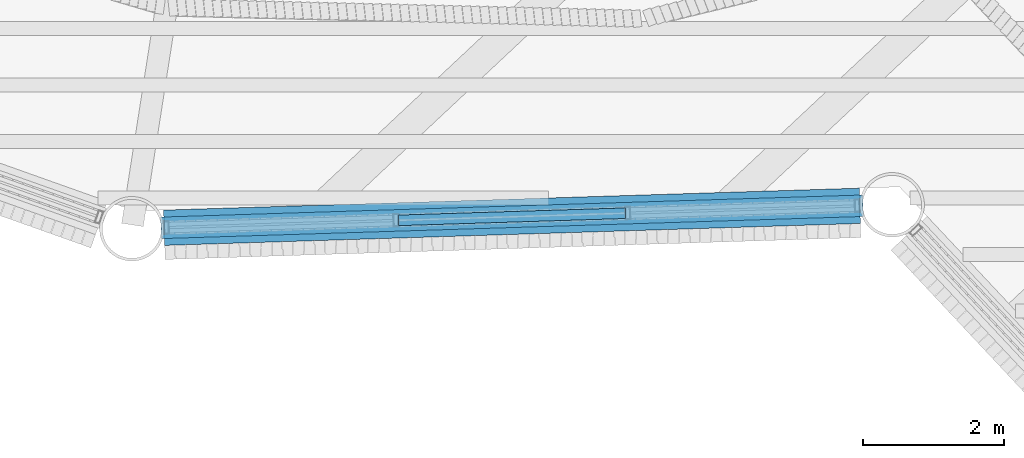
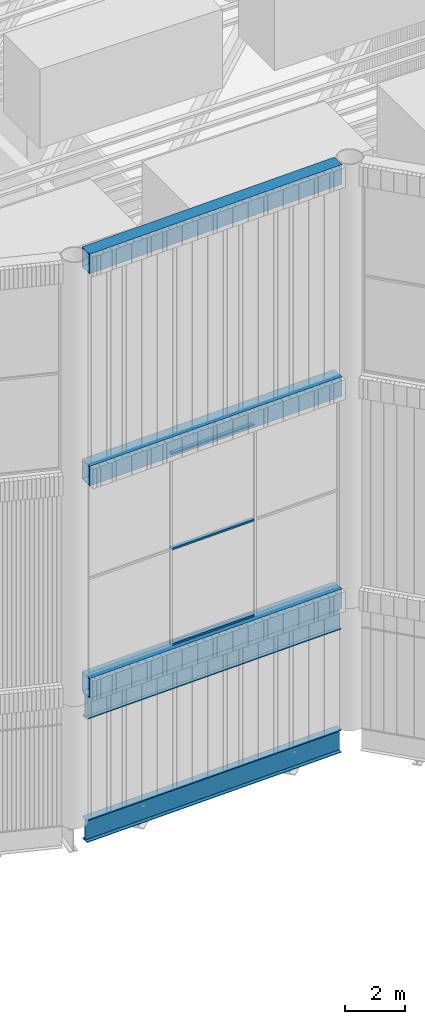
# One storey, part 22 of 117: 5 beams, 3 members, 1 element without a shape of its own.
"""IFC4 building model written with IfcOpenShell, lengths in metres."""

from ifc_helpers import new_model, si_unit, direction, frame, origin, origin_2d, place, context, subcontext, project, spatial, hollow_rectangle, i_section, extrude, material, layer, layer_set, material_profile, profile_set, type_object, element, aggregate, save


model = new_model("IFC4")

# Units and contexts
model_context = context("Model", 3, precision=1e-05, world=origin(), true_north=direction((0.0, 1.0)))
body_context = subcontext(model_context, "Body", "Model", "MODEL_VIEW")
ifc_project = project(units=[si_unit("LENGTHUNIT", "METRE"), si_unit("AREAUNIT", "SQUARE_METRE"), si_unit("VOLUMEUNIT", "CUBIC_METRE"), si_unit("PLANEANGLEUNIT", "RADIAN"), si_unit("MASSUNIT", "GRAM", prefix="KILO")], contexts=[model_context])

# Site, building, storey
site_placement = place(None, origin())
site = spatial("IfcSite", under=ifc_project, at=site_placement, CompositionType="ELEMENT")
building_placement = place(site_placement, origin())
building = spatial("IfcBuilding", under=site, at=building_placement, Name="Tarsis Ring Headquarters", CompositionType="ELEMENT")
storey_placement = place(building_placement, frame((0.0, 0.0, 403.60009765625)))
storey = spatial("IfcBuildingStorey", under=building, at=storey_placement, Name="L95", CompositionType="ELEMENT", Elevation=403.60009765625)

# Beams
ifc_material_1 = material(Name="Structural steel S355", Category="steel")
ifc_material_profile_1 = material_profile(ifc_material_1, hollow_rectangle(XDim=0.5, YDim=0.800048828125, WallThickness=0.030029296875, at=origin_2d()), Name="RHS 800x500x30")
ifc_profile_set_1 = profile_set([ifc_material_profile_1], Name="Structural steel S355")
beam_type_1 = type_object("IfcBeamType", Name="Crown frame ring beam RHS 800x500x30", PredefinedType="BEAM", material=ifc_profile_set_1)
for number, where, z_axis, x_axis, name in (
    (1, (-4.02734375, -28.68603515625, 5.39990234375), (0.999503655694, 0.031503051516, 0.0), (-0.031503051516, 0.999503655694, 0.0), "Crown frame ring beam R1"),
    (2, (-4.02734375, -28.68603515625, 14.0), (0.999503655694, 0.031503051516, 0.0), (-0.031503051516, 0.999503655694, 0.0), "Crown frame ring beam M1"),
    (3, (-4.02734375, -28.68603515625, 22.599853515625), (0.999503655694, 0.031503051516, 0.0), (-0.031503051516, 0.999503655694, 0.0), "Crown frame ring beam T1"),
):
    element("IfcBeam", number, at=place(storey_placement, frame(where, z_axis=z_axis, x_axis=x_axis)), inside=storey, type_object=beam_type_1, Name=name, PredefinedType="BEAM", context=body_context, shape_type="SweptSolid", body=[
        extrude(hollow_rectangle(XDim=0.5, YDim=0.800048828125, WallThickness=0.030029296875, at=origin_2d()), origin(), (0.0, 0.0, 1.0), 9.857666015625),
    ])

# Curtain wall, members
ifc_material_2 = material(Name="Aluminium curtain wall", Category="aluminium")
ifc_layer = layer(ifc_material_2, 0.179931640625)
ifc_layer_set = layer_set([ifc_layer], Name="Curtain wall crown glazing")
curtain_wall_type = type_object("IfcCurtainWallType", Name="Curtain wall crown glazing", PredefinedType="NOTDEFINED", material=ifc_layer_set)
curtain_wall_placement = place(storey_placement, origin())
curtain_wall = element("IfcCurtainWall", 4, at=curtain_wall_placement, inside=storey, type_object=curtain_wall_type, Name="Crown glazing L1", PredefinedType="NOTDEFINED")
ifc_material_3 = material(Name="Aluminium transom", Category="aluminium")
ifc_material_profile_2 = material_profile(ifc_material_3, hollow_rectangle(XDim=0.14990234375, YDim=0.070068359375, WallThickness=0.0048828125, at=origin_2d()), Name="RHS 150x70x5")
ifc_profile_set_2 = profile_set([ifc_material_profile_2], Name="Aluminium transom")
member_type = type_object("IfcMemberType", Name="Crown glazing transom RHS 150x70x5", PredefinedType="USERDEFINED", material=ifc_profile_set_2)
member_1_placement = place(storey_placement, frame((-0.7080078125, -28.581298828125, 5.8349609375), z_axis=(0.999503596283, 0.031504936386, 0.0), x_axis=(-0.031504936386, 0.999503596283, 0.0)))
member_1 = element("IfcMember", 5, at=member_1_placement, type_object=member_type, Name="CW-C transom 2.1", ObjectType="TRANSOM", PredefinedType="USERDEFINED", context=body_context, shape_type="SweptSolid", body=[
    extrude(hollow_rectangle(XDim=0.14990234375, YDim=0.070068359375, WallThickness=0.0048828125, at=origin_2d()), origin(), (0.0, 0.0, 1.0), 3.216064453125),
])
member_2_placement = place(storey_placement, frame((-0.7080078125, -28.581298828125, 9.699951171875), z_axis=(0.999503596283, 0.031504936386, 0.0), x_axis=(-0.031504936386, 0.999503596283, 0.0)))
member_2 = element("IfcMember", 6, at=member_2_placement, type_object=member_type, Name="CW-C transom 2.2", ObjectType="TRANSOM", PredefinedType="USERDEFINED", context=body_context, shape_type="SweptSolid", body=[
    extrude(hollow_rectangle(XDim=0.14990234375, YDim=0.070068359375, WallThickness=0.0048828125, at=origin_2d()), origin(), (0.0, 0.0, 1.0), 3.216064453125),
])
member_3_placement = place(storey_placement, frame((-0.7080078125, -28.581298828125, 13.56494140625), z_axis=(0.999503596283, 0.031504936386, 0.0), x_axis=(-0.031504936386, 0.999503596283, 0.0)))
member_3 = element("IfcMember", 7, at=member_3_placement, type_object=member_type, Name="CW-C transom 2.3", ObjectType="TRANSOM", PredefinedType="USERDEFINED", context=body_context, shape_type="SweptSolid", body=[
    extrude(hollow_rectangle(XDim=0.14990234375, YDim=0.070068359375, WallThickness=0.0048828125, at=origin_2d()), origin(), (0.0, 0.0, 1.0), 3.216064453125),
])
aggregate(curtain_wall, [member_1, member_2, member_3])

# Beams
ifc_material_profile_3 = material_profile(ifc_material_1, i_section(OverallWidth=0.3046875, OverallDepth=0.904296875, WebThickness=0.01513671875, FlangeThickness=0.02001953125, at=origin_2d()), Name="W36x135")
ifc_profile_set_3 = profile_set([ifc_material_profile_3], Name="Structural steel S355")
beam_type_2 = type_object("IfcBeamType", Name="XG Ring girder W36x135", PredefinedType="BEAM", material=ifc_profile_set_3)
for number, where, z_axis, x_axis, name in (
    (8, (-4.07275390625, -28.687255859375, -0.4521484375), (0.999504240044, 0.03148450626, 0.0), (-0.03148450626, 0.999504240044, 0.0), "Ring girder XG5"),
    (9, (-4.07275390625, -28.687255859375, 4.5478515625), (0.999504240044, 0.03148450626, 0.0), (-0.03148450626, 0.999504240044, 0.0), "Ring girder XG5"),
):
    element("IfcBeam", number, at=place(storey_placement, frame(where, z_axis=z_axis, x_axis=x_axis)), inside=storey, type_object=beam_type_2, Name=name, PredefinedType="BEAM", context=body_context, shape_type="SweptSolid", body=[
        extrude(i_section(OverallWidth=0.3046875, OverallDepth=0.904296875, WebThickness=0.01513671875, FlangeThickness=0.02001953125, at=origin_2d()), origin(), (0.0, 0.0, 1.0), 9.94873046875),
    ])

save(model, "model.ifc")
